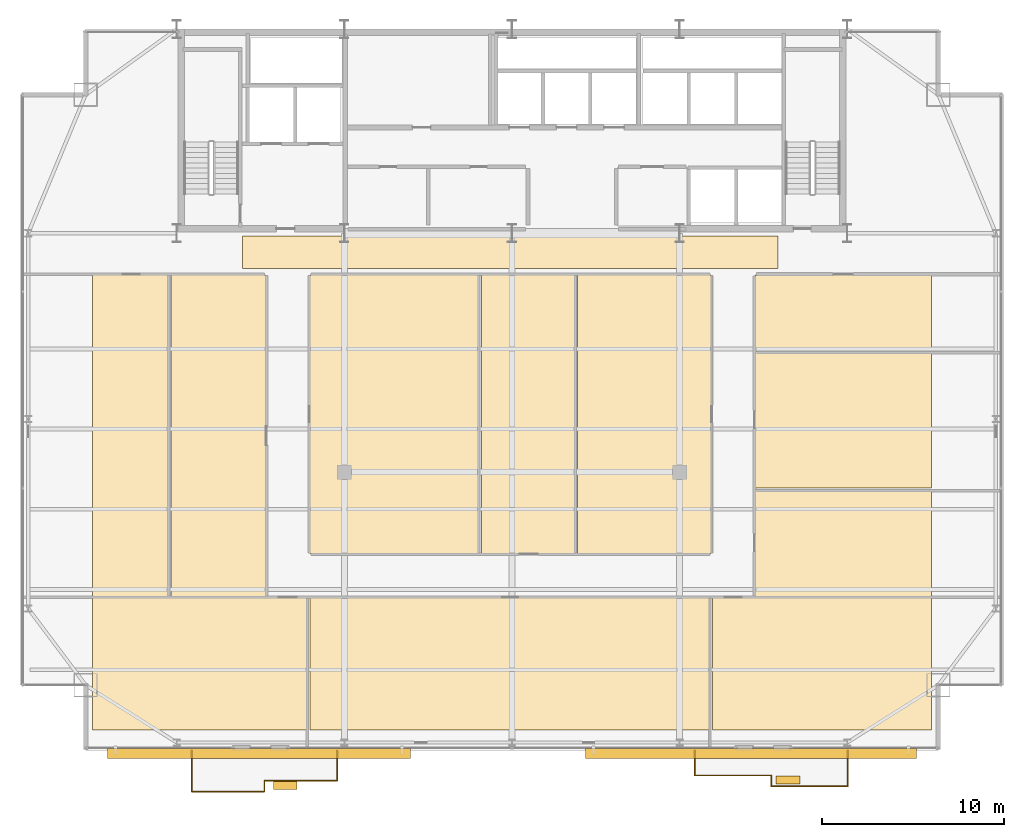
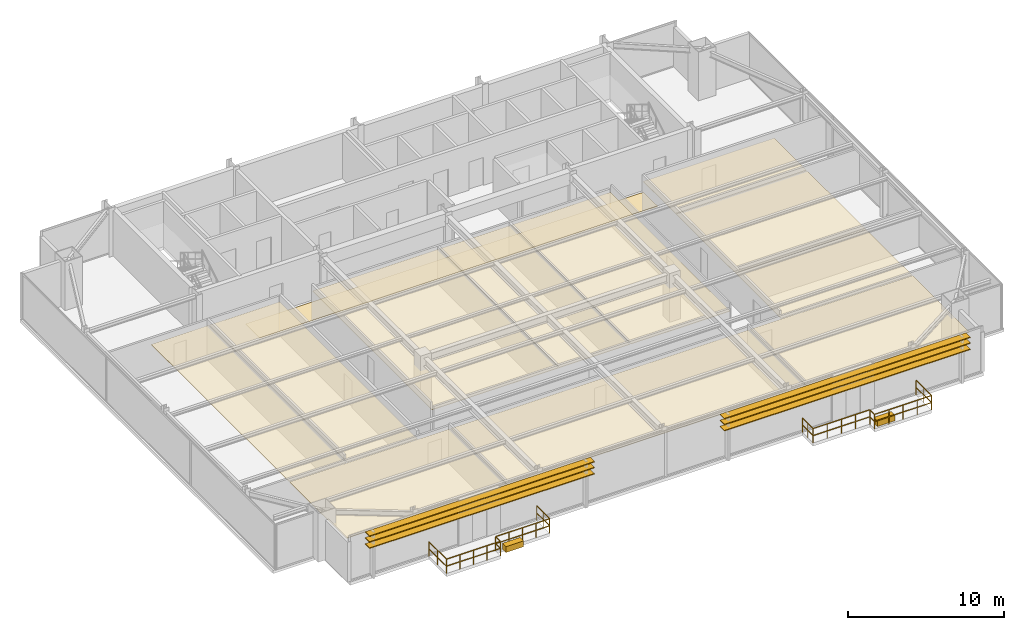
# One storey, part 30 of 31: 14 coverings, 10 railings, 6 shading devices.
"""IFC4 building model written with IfcOpenShell, lengths in metres."""

import ifcopenshell
import ifcopenshell.guid

model = None  # the IFC model being written
_history = None  # IfcOwnerHistory: only IFC2X3 demands one
_inside = {}  # id of a spatial element -> (the spatial element, [elements in it])
_under = {}  # id of a project, library or spatial element -> (it, [spatial elements below it])
_declared = {}  # id of a project -> (the project, [libraries it declares])
_typed = {}  # id of a type object -> (the type object, [elements of that type])
_made_of = {}  # id of a material, layer set ... -> (it, [elements and type objects made of it])


def new_model(schema):
    """Start an empty IFC model of exactly this schema.

    Asked for "IFC4X3", IfcOpenShell would pick the latest addendum, in which some entities
    have other attributes; the version numbers below select the first issue.
    IFC2X3 requires an IfcOwnerHistory on every rooted entity: one is made here for all.
    """
    global model, _history
    if schema == "IFC4X3":
        model = ifcopenshell.file(schema_version=(4, 3, 0, 0))
    else:
        model = ifcopenshell.file(schema=schema)
    _inside.clear()
    _under.clear()
    _declared.clear()
    _typed.clear()
    _made_of.clear()
    _history = None
    if model.schema == "IFC2X3":
        org = make("IfcOrganization", Name="unknown")
        user = make(
            "IfcPersonAndOrganization",
            ThePerson=make("IfcPerson", FamilyName="unknown"),
            TheOrganization=org,
        )
        app = make(
            "IfcApplication",
            ApplicationDeveloper=org,
            Version="unknown",
            ApplicationFullName="unknown",
            ApplicationIdentifier="unknown",
        )
        _history = make(
            "IfcOwnerHistory",
            OwningUser=user,
            OwningApplication=app,
            ChangeAction="ADDED",
            CreationDate=0,
        )
    return model


def make(cls, **values):
    """One entity of the class cls with the attributes given. An attribute that is None is left unset."""
    return model.create_entity(
        cls, **{name: value for name, value in values.items() if value is not None}
    )


def rooted(cls, **values):
    """An entity with a GlobalId (a new one), such as an element, a storey or a relation."""
    return make(cls, GlobalId=ifcopenshell.guid.new(), OwnerHistory=_history, **values)


def si_unit(unit_type, name, prefix=None):
    """IfcSIUnit, for example si_unit("LENGTHUNIT", "METRE", prefix="MILLI")."""
    return make("IfcSIUnit", UnitType=unit_type, Prefix=prefix, Name=name)


def assignment(units):
    """IfcUnitAssignment: the units of a project."""
    return None if units is None else make("IfcUnitAssignment", Units=units)


def point(xyz):
    """IfcCartesianPoint."""
    return None if xyz is None else make("IfcCartesianPoint", Coordinates=xyz)


def direction(xyz):
    """IfcDirection."""
    return None if xyz is None else make("IfcDirection", DirectionRatios=xyz)


def frame(location, z_axis=None, x_axis=None):
    """IfcAxis2Placement3D, a coordinate frame: its origin and axes. An axis left out is left unset."""
    return make(
        "IfcAxis2Placement3D",
        Location=point(location),
        Axis=direction(z_axis),
        RefDirection=direction(x_axis),
    )


def frame_2d(location, x_axis=None):
    """IfcAxis2Placement2D, a coordinate frame in the plane: its origin and x axis."""
    return make(
        "IfcAxis2Placement2D", Location=point(location), RefDirection=direction(x_axis)
    )


def origin():
    """The frame at (0, 0, 0) with its axes left unset."""
    return frame((0.0, 0.0, 0.0))


def origin_2d():
    """The frame at (0, 0) in the plane with its x axis left unset."""
    return frame_2d((0.0, 0.0))


def place(relative_to, where):
    """IfcLocalPlacement: puts the frame where relative to a parent placement (None: the world)."""
    return make(
        "IfcLocalPlacement", PlacementRelTo=relative_to, RelativePlacement=where
    )


def context(
    kind, dimensions, precision=None, world=None, true_north=None, identifier=None
):
    """IfcGeometricRepresentationContext, for example the 3D "Model" context."""
    return make(
        "IfcGeometricRepresentationContext",
        ContextIdentifier=identifier,
        ContextType=kind,
        CoordinateSpaceDimension=dimensions,
        Precision=precision,
        WorldCoordinateSystem=world,
        TrueNorth=true_north,
    )


def subcontext(parent, identifier, kind, view, scale=None):
    """IfcGeometricRepresentationSubContext, for example "Body" below "Model"."""
    return make(
        "IfcGeometricRepresentationSubContext",
        ContextIdentifier=identifier,
        ContextType=kind,
        ParentContext=parent,
        TargetScale=scale,
        TargetView=view,
    )


def project(units=None, contexts=None):
    """IfcProject with its units and contexts."""
    return rooted(
        "IfcProject",
        Name="project",
        RepresentationContexts=contexts,
        UnitsInContext=assignment(units),
    )


def spatial(cls, under=None, at=None, **own):
    """A site, building, storey or space (cls), placed at a placement, below another one or the project."""
    s = rooted(cls, ObjectPlacement=at, **own)
    if under is not None:
        _under.setdefault(under.id(), (under, []))[1].append(s)
    return s


def polyline(points):
    """IfcPolyline through the points."""
    return make("IfcPolyline", Points=[point(p) for p in points])


def profile(cls, at=None, kind="AREA", **sizes):
    """A parametric profile (cls). Its sizes go by their IFC names, for example OverallWidth=200.0."""
    return make(cls, ProfileType=kind, Position=at, **sizes)


def rectangle(**sizes):
    """IfcRectangleProfileDef."""
    return profile("IfcRectangleProfileDef", **sizes)


def outline(outer, holes=None, kind="AREA"):
    """IfcArbitraryClosedProfileDef: a profile drawn as a closed curve; with holes, ...WithVoids."""
    if holes is None:
        return make("IfcArbitraryClosedProfileDef", ProfileType=kind, OuterCurve=outer)
    return make(
        "IfcArbitraryProfileDefWithVoids",
        ProfileType=kind,
        OuterCurve=outer,
        InnerCurves=holes,
    )


def extrude(swept, where, along, depth):
    """IfcExtrudedAreaSolid: the profile swept, set in the frame where, extruded along a direction by depth."""
    return make(
        "IfcExtrudedAreaSolid",
        SweptArea=swept,
        Position=where,
        ExtrudedDirection=direction(along),
        Depth=depth,
    )


def shape(context_of_items, identifier, shape_type, items):
    """IfcShapeRepresentation: the items that make up one representation, for example the "Body"."""
    return make(
        "IfcShapeRepresentation",
        ContextOfItems=context_of_items,
        RepresentationIdentifier=identifier,
        RepresentationType=shape_type,
        Items=items,
    )


def source(mapping_origin, context_of_items, identifier, shape_type, items):
    """IfcRepresentationMap: a shape defined once, which mapped items show again and again."""
    return make(
        "IfcRepresentationMap",
        MappingOrigin=mapping_origin,
        MappedRepresentation=shape(context_of_items, identifier, shape_type, items),
    )


def transform(
    local_origin,
    x_axis=None,
    y_axis=None,
    z_axis=None,
    scale=None,
    scale2=None,
    scale3=None,
    uniform=True,
):
    """IfcCartesianTransformationOperator3D, or its non-uniform kind. x_axis, y_axis, z_axis: its Axis1, 2, 3."""
    if uniform:
        return make(
            "IfcCartesianTransformationOperator3D",
            Axis1=direction(x_axis),
            Axis2=direction(y_axis),
            LocalOrigin=point(local_origin),
            Scale=scale,
            Axis3=direction(z_axis),
        )
    return make(
        "IfcCartesianTransformationOperator3DnonUniform",
        Axis1=direction(x_axis),
        Axis2=direction(y_axis),
        LocalOrigin=point(local_origin),
        Scale=scale,
        Axis3=direction(z_axis),
        Scale2=scale2,
        Scale3=scale3,
    )


def mapped(mapping_source, mapping_target):
    """IfcMappedItem: shows the shape of a source again, moved by a transform."""
    return make(
        "IfcMappedItem", MappingSource=mapping_source, MappingTarget=mapping_target
    )


def material(Name=None, Category=None):
    """IfcMaterial."""
    return make("IfcMaterial", Name=Name, Category=Category)


def layer(
    of_material, thickness, ventilated=None, Name=None, Category=None, Priority=None
):
    """IfcMaterialLayer: one layer of a wall or slab, of a material (None: an air gap)."""
    return make(
        "IfcMaterialLayer",
        Material=of_material,
        LayerThickness=thickness,
        IsVentilated=ventilated,
        Name=Name,
        Category=Category,
        Priority=Priority,
    )


def layer_set(layers, Name=None):
    """IfcMaterialLayerSet."""
    return make("IfcMaterialLayerSet", MaterialLayers=layers, LayerSetName=Name)


def made_of(thing, what):
    """Note that an element or type object is made of a material, layer set ...; save() writes the relation."""
    if what is not None:
        _made_of.setdefault(what.id(), (what, []))[1].append(thing)
    return thing


def type_object(cls, material=None, **own):
    """A type object (cls), such as IfcWallType, which elements share."""
    return made_of(rooted(cls, **own), material)


def type_shapes(of_type, sources):
    """Give a type object the sources (RepresentationMaps) that its elements show as mapped items."""
    of_type.RepresentationMaps = sources


def element(
    cls,
    number,
    at=None,
    inside=None,
    cuts=None,
    type_object=None,
    material=None,
    context=None,
    identifier="Body",
    shape_type=None,
    held_by="IfcProductDefinitionShape",
    body=None,
    shapes=None,
    **own,
):
    """One element of the class cls, such as IfcWall. Its Tag is "e" and its number.

    at: its placement. inside: the storey or other place that contains it. cuts: it is an
    opening in that element (IfcRelVoidsElement). A single representation is given by context,
    identifier, shape_type and body (its items); several are given by shapes. held_by: the class
    of the entity that holds the representations. save() writes the other relations.
    """
    e = rooted(cls, Tag="e%d" % number, ObjectPlacement=at, **own)
    if body is not None:
        shapes = [shape(context, identifier, shape_type, body)]
    if shapes is not None:
        e.Representation = make(held_by, Representations=shapes)
    if inside is not None:
        _inside.setdefault(inside.id(), (inside, []))[1].append(e)
    if cuts is not None:
        rooted(
            "IfcRelVoidsElement", RelatingBuildingElement=cuts, RelatedOpeningElement=e
        )
    if type_object is not None:
        _typed.setdefault(type_object.id(), (type_object, []))[1].append(e)
    return made_of(e, material)


def aggregate(whole, parts):
    """IfcRelAggregates: a whole, such as a stair, and the parts it consists of."""
    return rooted("IfcRelAggregates", RelatingObject=whole, RelatedObjects=parts)


def save(model, path):
    """Write the relations noted so far, then the file.

    IfcRelAggregates (storeys below a building ...), IfcRelContainedInSpatialStructure (elements
    in a storey), IfcRelDefinesByType, IfcRelAssociatesMaterial and IfcRelDeclares: one each for
    every whole, place, type object, material and project.
    """
    for whole, parts in _under.values():
        aggregate(whole, parts)
    for where, things in _inside.values():
        rooted(
            "IfcRelContainedInSpatialStructure",
            RelatedElements=things,
            RelatingStructure=where,
        )
    for kind, things in _typed.values():
        rooted("IfcRelDefinesByType", RelatedObjects=things, RelatingType=kind)
    for what, things in _made_of.values():
        rooted("IfcRelAssociatesMaterial", RelatedObjects=things, RelatingMaterial=what)
    for by, libraries in _declared.values():
        rooted("IfcRelDeclares", RelatingContext=by, RelatedDefinitions=libraries)
    model.write(path)


model = new_model("IFC4")

# Units and contexts
model_context = context("Model", 3, precision=1e-05, world=origin(), true_north=direction((0.0, 1.0)))
body_context = subcontext(model_context, "Body", "Model", "MODEL_VIEW")
ifc_project = project(units=[si_unit("LENGTHUNIT", "METRE"), si_unit("AREAUNIT", "SQUARE_METRE"), si_unit("VOLUMEUNIT", "CUBIC_METRE"), si_unit("PLANEANGLEUNIT", "RADIAN"), si_unit("MASSUNIT", "GRAM", prefix="KILO")], contexts=[model_context])

# Site, building, storey
site_placement = place(None, origin())
site = spatial("IfcSite", under=ifc_project, at=site_placement, CompositionType="ELEMENT")
building_placement = place(site_placement, origin())
building = spatial("IfcBuilding", under=site, at=building_placement, Name="Varnel Quay Broadcast Tower", CompositionType="ELEMENT")
storey_placement = place(building_placement, frame((0.0, 0.0, 183.800048828125)))
storey = spatial("IfcBuildingStorey", under=building, at=storey_placement, Name="L45", CompositionType="ELEMENT", Elevation=183.800048828125)

# Coverings
ifc_material_1 = material(Name="Micro-Perforated Acoustic Ceiling Tile")
ifc_layer_1 = layer(ifc_material_1, 0.0400390625, Name="Micro-Perforated Acoustic Ceiling Tile")
ifc_layer_set_1 = layer_set([ifc_layer_1], Name="Micro-Perforated Acoustic Ceiling Tile")
covering_type_1 = type_object("IfcCoveringType", Name="Cov_AcousticCeiling", PredefinedType="CEILING", material=ifc_layer_set_1)
covering_1_placement = place(storey_placement, frame((0.0, 0.0, 2.579833984375)))
element("IfcCovering", 1, at=covering_1_placement, inside=storey, type_object=covering_type_1, Name="L45 Press Green Lounge 1 Acoustic Ceiling", PredefinedType="CEILING", context=body_context, shape_type="SweptSolid", body=[
    extrude(outline(polyline([(10.985107421875, 8.324951171875), (22.8349609375, 8.324951171875), (22.8349609375, 15.594970703125), (10.985107421875, 15.594970703125), (10.985107421875, 8.324951171875)])), origin(), (0.0, 0.0, 1.0), 0.0400390625),
])
covering_2_placement = place(storey_placement, frame((0.0, 0.0, 2.579833984375)))
element("IfcCovering", 2, at=covering_2_placement, inside=storey, type_object=covering_type_1, Name="L45 Camera Locker Store 2 Acoustic Ceiling", PredefinedType="CEILING", context=body_context, shape_type="SweptSolid", body=[
    extrude(outline(polyline([(22.905029296875, 8.324951171875), (44.925048828125, 8.324951171875), (44.925048828125, 15.594970703125), (22.905029296875, 15.594970703125), (22.905029296875, 8.324951171875)])), origin(), (0.0, 0.0, 1.0), 0.0400390625),
])
covering_3_placement = place(storey_placement, frame((0.0, 0.0, 2.579833984375)))
element("IfcCovering", 3, at=covering_3_placement, inside=storey, type_object=covering_type_1, Name="L45 Broadcast Newsroom 3 Acoustic Ceiling", PredefinedType="CEILING", context=body_context, shape_type="SweptSolid", body=[
    extrude(outline(polyline([(44.9951171875, 8.324951171875), (57.014892578125, 8.324951171875), (57.014892578125, 15.594970703125), (44.9951171875, 15.594970703125), (44.9951171875, 8.324951171875)])), origin(), (0.0, 0.0, 1.0), 0.0400390625),
])
covering_4_placement = place(storey_placement, frame((0.0, 0.0, 2.579833984375)))
element("IfcCovering", 4, at=covering_4_placement, inside=storey, type_object=covering_type_1, Name="L45 Assignment Desk 4 Acoustic Ceiling", PredefinedType="CEILING", context=body_context, shape_type="SweptSolid", body=[
    extrude(outline(polyline([(10.985107421875, 15.6650390625), (15.215087890625, 15.6650390625), (15.215087890625, 33.31494140625), (10.985107421875, 33.31494140625), (10.985107421875, 15.6650390625)])), origin(), (0.0, 0.0, 1.0), 0.0400390625),
])
covering_5_placement = place(storey_placement, frame((0.0, 0.0, 2.579833984375)))
element("IfcCovering", 5, at=covering_5_placement, inside=storey, type_object=covering_type_1, Name="L45 Editorial Boardroom 5 Acoustic Ceiling", PredefinedType="CEILING", context=body_context, shape_type="SweptSolid", body=[
    extrude(outline(polyline([(15.284912109375, 15.6650390625), (20.485107421875, 15.6650390625), (20.485107421875, 33.31494140625), (15.284912109375, 33.31494140625), (15.284912109375, 15.6650390625)])), origin(), (0.0, 0.0, 1.0), 0.0400390625),
])
covering_6_placement = place(storey_placement, frame((0.0, 0.0, 2.579833984375)))
element("IfcCovering", 6, at=covering_6_placement, inside=storey, type_object=covering_type_1, Name="L45 Break Kitchen 6 Acoustic Ceiling", PredefinedType="CEILING", context=body_context, shape_type="SweptSolid", body=[
    extrude(outline(polyline([(22.905029296875, 18.014892578125), (32.2451171875, 18.014892578125), (32.2451171875, 33.31494140625), (22.905029296875, 33.31494140625), (22.905029296875, 18.014892578125)])), origin(), (0.0, 0.0, 1.0), 0.0400390625),
])
covering_7_placement = place(storey_placement, frame((0.0, 0.0, 2.579833984375)))
element("IfcCovering", 7, at=covering_7_placement, inside=storey, type_object=covering_type_1, Name="L45 Press Green Lounge 7 Acoustic Ceiling", PredefinedType="CEILING", context=body_context, shape_type="SweptSolid", body=[
    extrude(outline(polyline([(32.31494140625, 18.014892578125), (37.534912109375, 18.014892578125), (37.534912109375, 33.31494140625), (32.31494140625, 33.31494140625), (32.31494140625, 18.014892578125)])), origin(), (0.0, 0.0, 1.0), 0.0400390625),
])
covering_8_placement = place(storey_placement, frame((0.0, 0.0, 2.579833984375)))
element("IfcCovering", 8, at=covering_8_placement, inside=storey, type_object=covering_type_1, Name="L45 Camera Locker Store 8 Acoustic Ceiling", PredefinedType="CEILING", context=body_context, shape_type="SweptSolid", body=[
    extrude(outline(polyline([(37.60498046875, 18.014892578125), (44.925048828125, 18.014892578125), (44.925048828125, 33.31494140625), (37.60498046875, 33.31494140625), (37.60498046875, 18.014892578125)])), origin(), (0.0, 0.0, 1.0), 0.0400390625),
])
covering_9_placement = place(storey_placement, frame((0.0, 0.0, 2.579833984375)))
element("IfcCovering", 9, at=covering_9_placement, inside=storey, type_object=covering_type_1, Name="L45 Broadcast Newsroom 9 Acoustic Ceiling", PredefinedType="CEILING", context=body_context, shape_type="SweptSolid", body=[
    extrude(outline(polyline([(47.344970703125, 15.6650390625), (57.014892578125, 15.6650390625), (57.014892578125, 21.534912109375), (47.344970703125, 21.534912109375), (47.344970703125, 15.6650390625)])), origin(), (0.0, 0.0, 1.0), 0.0400390625),
])
covering_10_placement = place(storey_placement, frame((0.0, 0.0, 2.579833984375)))
element("IfcCovering", 10, at=covering_10_placement, inside=storey, type_object=covering_type_1, Name="L45 Assignment Desk 10 Acoustic Ceiling", PredefinedType="CEILING", context=body_context, shape_type="SweptSolid", body=[
    extrude(outline(polyline([(47.344970703125, 21.60498046875), (57.014892578125, 21.60498046875), (57.014892578125, 29.10498046875), (47.344970703125, 29.10498046875), (47.344970703125, 21.60498046875)])), origin(), (0.0, 0.0, 1.0), 0.0400390625),
])
covering_11_placement = place(storey_placement, frame((0.0, 0.0, 2.579833984375)))
element("IfcCovering", 11, at=covering_11_placement, inside=storey, type_object=covering_type_1, Name="L45 Editorial Boardroom 11 Acoustic Ceiling", PredefinedType="CEILING", context=body_context, shape_type="SweptSolid", body=[
    extrude(outline(polyline([(47.344970703125, 29.175048828125), (57.014892578125, 29.175048828125), (57.014892578125, 33.31494140625), (47.344970703125, 33.31494140625), (47.344970703125, 29.175048828125)])), origin(), (0.0, 0.0, 1.0), 0.0400390625),
])
ifc_material_2 = material(Name="Polished Terrazzo & Broadcast Raised Flooring")
ifc_layer_2 = layer(ifc_material_2, 0.0400390625, Name="Polished Terrazzo & Broadcast Raised Flooring")
ifc_layer_set_2 = layer_set([ifc_layer_2], Name="Polished Terrazzo & Broadcast Raised Flooring")
covering_type_2 = type_object("IfcCoveringType", Name="Cov_TerrazzoFloor", PredefinedType="FLOORING", material=ifc_layer_set_2)
covering_12_placement = place(storey_placement, origin())
element("IfcCovering", 12, at=covering_12_placement, inside=storey, type_object=covering_type_2, Name="L45 Corridor Terrazzo Flooring", PredefinedType="FLOORING", context=body_context, shape_type="SweptSolid", body=[
    extrude(outline(polyline([(19.199951171875, 33.64990234375), (48.60009765625, 33.64990234375), (48.60009765625, 35.449951171875), (19.199951171875, 35.449951171875), (19.199951171875, 33.64990234375)])), origin(), (0.0, 0.0, 1.0), 0.0400390625),
])

# Railings
ifc_material_3 = material(Name="Anodised Bronze Aluminium 6063-T6", Category="aluminium")
railing_type = type_object("IfcRailingType", Name="Rail_Balustrade1150", PredefinedType="BALUSTRADE", material=ifc_material_3)
railing_1_placement = place(storey_placement, frame((16.429931640625, 4.95703125, 0.0)))
element("IfcRailing", 13, at=railing_1_placement, inside=storey, type_object=railing_type, Name="L45 Terrace 1 Guard 1", PredefinedType="BALUSTRADE", context=body_context, shape_type="SweptSolid", body=[
    extrude(rectangle(XDim=0.048095703125, YDim=0.048095703125, at=origin_2d()), frame((0.0, 0.0, 1.1259765625), z_axis=(1.0, 0.0, 0.0), x_axis=(0.0, 1.0, 0.0)), (0.0, 0.0, 1.0), 3.985107421875),
    extrude(rectangle(XDim=0.048095703125, YDim=0.048095703125, at=origin_2d()), frame((0.0, 0.0, 0.574951171875), z_axis=(1.0, 0.0, 0.0), x_axis=(0.0, 1.0, 0.0)), (0.0, 0.0, 1.0), 3.985107421875),
    extrude(rectangle(XDim=0.0419921875, YDim=0.0419921875, at=origin_2d()), origin(), (0.0, 0.0, 1.0), 1.101806640625),
    extrude(rectangle(XDim=0.0419921875, YDim=0.0419921875, at=origin_2d()), frame((0.996337890625, 0.0, 0.0)), (0.0, 0.0, 1.0), 1.101806640625),
    extrude(rectangle(XDim=0.0419921875, YDim=0.0419921875, at=origin_2d()), frame((1.99267578125, 0.0, 0.0)), (0.0, 0.0, 1.0), 1.101806640625),
    extrude(rectangle(XDim=0.0419921875, YDim=0.0419921875, at=origin_2d()), frame((2.98876953125, 0.0, 0.0)), (0.0, 0.0, 1.0), 1.101806640625),
    extrude(rectangle(XDim=0.0419921875, YDim=0.0419921875, at=origin_2d()), frame((3.985107421875, 0.0, 0.0)), (0.0, 0.0, 1.0), 1.101806640625),
])
railing_2_placement = place(storey_placement, frame((20.4150390625, 4.95703125, 0.0)))
element("IfcRailing", 14, at=railing_2_placement, inside=storey, type_object=railing_type, Name="L45 Terrace 1 Guard 2", PredefinedType="BALUSTRADE", context=body_context, shape_type="SweptSolid", body=[
    extrude(rectangle(XDim=0.048095703125, YDim=0.048095703125, at=origin_2d()), frame((0.0, 0.0, 1.1259765625), z_axis=(0.0, 1.0, 0.0), x_axis=(-1.0, 0.0, 0.0)), (0.0, 0.0, 1.0), 0.599853515625),
    extrude(rectangle(XDim=0.048095703125, YDim=0.048095703125, at=origin_2d()), frame((0.0, 0.0, 0.574951171875), z_axis=(0.0, 1.0, 0.0), x_axis=(-1.0, 0.0, 0.0)), (0.0, 0.0, 1.0), 0.599853515625),
    extrude(rectangle(XDim=0.0419921875, YDim=0.0419921875, at=origin_2d()), origin(), (0.0, 0.0, 1.0), 1.101806640625),
    extrude(rectangle(XDim=0.0419921875, YDim=0.0419921875, at=origin_2d()), frame((0.0, 0.599853515625, 0.0)), (0.0, 0.0, 1.0), 1.101806640625),
])
railing_3_placement = place(storey_placement, frame((20.4150390625, 5.556884765625, 0.0)))
element("IfcRailing", 15, at=railing_3_placement, inside=storey, type_object=railing_type, Name="L45 Terrace 1 Guard 3", PredefinedType="BALUSTRADE", context=body_context, shape_type="SweptSolid", body=[
    extrude(rectangle(XDim=0.048095703125, YDim=0.048095703125, at=origin_2d()), frame((0.0, 0.0, 1.1259765625), z_axis=(1.0, 0.0, 0.0), x_axis=(0.0, 1.0, 0.0)), (0.0, 0.0, 1.0), 3.98486328125),
    extrude(rectangle(XDim=0.048095703125, YDim=0.048095703125, at=origin_2d()), frame((0.0, 0.0, 0.574951171875), z_axis=(1.0, 0.0, 0.0), x_axis=(0.0, 1.0, 0.0)), (0.0, 0.0, 1.0), 3.98486328125),
    extrude(rectangle(XDim=0.0419921875, YDim=0.0419921875, at=origin_2d()), origin(), (0.0, 0.0, 1.0), 1.101806640625),
    extrude(rectangle(XDim=0.0419921875, YDim=0.0419921875, at=origin_2d()), frame((0.99609375, 0.0, 0.0)), (0.0, 0.0, 1.0), 1.101806640625),
    extrude(rectangle(XDim=0.0419921875, YDim=0.0419921875, at=origin_2d()), frame((1.992431640625, 0.0, 0.0)), (0.0, 0.0, 1.0), 1.101806640625),
    extrude(rectangle(XDim=0.0419921875, YDim=0.0419921875, at=origin_2d()), frame((2.98876953125, 0.0, 0.0)), (0.0, 0.0, 1.0), 1.101806640625),
    extrude(rectangle(XDim=0.0419921875, YDim=0.0419921875, at=origin_2d()), frame((3.98486328125, 0.0, 0.0)), (0.0, 0.0, 1.0), 1.101806640625),
])
railing_4_placement = place(storey_placement, frame((24.39990234375, 5.556884765625, 0.0)))
element("IfcRailing", 16, at=railing_4_placement, inside=storey, type_object=railing_type, Name="L45 Terrace 1 Guard 4", PredefinedType="BALUSTRADE", context=body_context, shape_type="SweptSolid", body=[
    extrude(rectangle(XDim=0.048095703125, YDim=0.048095703125, at=origin_2d()), frame((0.0, 0.0, 1.1259765625), z_axis=(0.0, 1.0, 0.0), x_axis=(-1.0, 0.0, 0.0)), (0.0, 0.0, 1.0), 1.64306640625),
    extrude(rectangle(XDim=0.048095703125, YDim=0.048095703125, at=origin_2d()), frame((0.0, 0.0, 0.574951171875), z_axis=(0.0, 1.0, 0.0), x_axis=(-1.0, 0.0, 0.0)), (0.0, 0.0, 1.0), 1.64306640625),
    extrude(rectangle(XDim=0.0419921875, YDim=0.0419921875, at=origin_2d()), origin(), (0.0, 0.0, 1.0), 1.101806640625),
    extrude(rectangle(XDim=0.0419921875, YDim=0.0419921875, at=origin_2d()), frame((0.0, 0.821533203125, 0.0)), (0.0, 0.0, 1.0), 1.101806640625),
    extrude(rectangle(XDim=0.0419921875, YDim=0.0419921875, at=origin_2d()), frame((0.0, 1.64306640625, 0.0)), (0.0, 0.0, 1.0), 1.101806640625),
])
railing_5_placement = place(storey_placement, frame((16.429931640625, 7.199951171875, 0.0)))
element("IfcRailing", 17, at=railing_5_placement, inside=storey, type_object=railing_type, Name="L45 Terrace 1 Guard 6", PredefinedType="BALUSTRADE", context=body_context, shape_type="SweptSolid", body=[
    extrude(rectangle(XDim=0.048095703125, YDim=0.048095703125, at=origin_2d()), frame((0.0, 0.0, 1.1259765625), z_axis=(0.0, -1.0, 0.0), x_axis=(1.0, 0.0, 0.0)), (0.0, 0.0, 1.0), 2.242919921875),
    extrude(rectangle(XDim=0.048095703125, YDim=0.048095703125, at=origin_2d()), frame((0.0, 0.0, 0.574951171875), z_axis=(0.0, -1.0, 0.0), x_axis=(1.0, 0.0, 0.0)), (0.0, 0.0, 1.0), 2.242919921875),
    extrude(rectangle(XDim=0.0419921875, YDim=0.0419921875, at=origin_2d()), origin(), (0.0, 0.0, 1.0), 1.101806640625),
    extrude(rectangle(XDim=0.0419921875, YDim=0.0419921875, at=origin_2d()), frame((0.0, -1.12158203125, 0.0)), (0.0, 0.0, 1.0), 1.101806640625),
    extrude(rectangle(XDim=0.0419921875, YDim=0.0419921875, at=origin_2d()), frame((0.0, -2.242919921875, 0.0)), (0.0, 0.0, 1.0), 1.101806640625),
])
railing_6_placement = place(storey_placement, frame((44.030029296875, 5.843017578125, 0.0)))
element("IfcRailing", 18, at=railing_6_placement, inside=storey, type_object=railing_type, Name="L45 Terrace 2 Guard 1", PredefinedType="BALUSTRADE", context=body_context, shape_type="SweptSolid", body=[
    extrude(rectangle(XDim=0.048095703125, YDim=0.048095703125, at=origin_2d()), frame((0.0, 0.0, 1.1259765625), z_axis=(1.0, 0.0, 0.0), x_axis=(0.0, 1.0, 0.0)), (0.0, 0.0, 1.0), 4.199951171875),
    extrude(rectangle(XDim=0.048095703125, YDim=0.048095703125, at=origin_2d()), frame((0.0, 0.0, 0.574951171875), z_axis=(1.0, 0.0, 0.0), x_axis=(0.0, 1.0, 0.0)), (0.0, 0.0, 1.0), 4.199951171875),
    extrude(rectangle(XDim=0.0419921875, YDim=0.0419921875, at=origin_2d()), origin(), (0.0, 0.0, 1.0), 1.101806640625),
    extrude(rectangle(XDim=0.0419921875, YDim=0.0419921875, at=origin_2d()), frame((1.050048828125, 0.0, 0.0)), (0.0, 0.0, 1.0), 1.101806640625),
    extrude(rectangle(XDim=0.0419921875, YDim=0.0419921875, at=origin_2d()), frame((2.10009765625, 0.0, 0.0)), (0.0, 0.0, 1.0), 1.101806640625),
    extrude(rectangle(XDim=0.0419921875, YDim=0.0419921875, at=origin_2d()), frame((3.14990234375, 0.0, 0.0)), (0.0, 0.0, 1.0), 1.101806640625),
    extrude(rectangle(XDim=0.0419921875, YDim=0.0419921875, at=origin_2d()), frame((4.199951171875, 0.0, 0.0)), (0.0, 0.0, 1.0), 1.101806640625),
])
railing_7_placement = place(storey_placement, frame((48.22998046875, 5.843017578125, 0.0)))
element("IfcRailing", 19, at=railing_7_placement, inside=storey, type_object=railing_type, Name="L45 Terrace 2 Guard 2", PredefinedType="BALUSTRADE", context=body_context, shape_type="SweptSolid", body=[
    extrude(rectangle(XDim=0.048095703125, YDim=0.048095703125, at=origin_2d()), frame((0.0, 0.0, 1.1259765625), z_axis=(0.0, -1.0, 0.0), x_axis=(1.0, 0.0, 0.0)), (0.0, 0.0, 1.0), 0.60009765625),
    extrude(rectangle(XDim=0.048095703125, YDim=0.048095703125, at=origin_2d()), frame((0.0, 0.0, 0.574951171875), z_axis=(0.0, -1.0, 0.0), x_axis=(1.0, 0.0, 0.0)), (0.0, 0.0, 1.0), 0.60009765625),
    extrude(rectangle(XDim=0.0419921875, YDim=0.0419921875, at=origin_2d()), origin(), (0.0, 0.0, 1.0), 1.101806640625),
    extrude(rectangle(XDim=0.0419921875, YDim=0.0419921875, at=origin_2d()), frame((0.0, -0.60009765625, 0.0)), (0.0, 0.0, 1.0), 1.101806640625),
])
railing_8_placement = place(storey_placement, frame((48.22998046875, 5.242919921875, 0.0)))
element("IfcRailing", 20, at=railing_8_placement, inside=storey, type_object=railing_type, Name="L45 Terrace 2 Guard 3", PredefinedType="BALUSTRADE", context=body_context, shape_type="SweptSolid", body=[
    extrude(rectangle(XDim=0.048095703125, YDim=0.048095703125, at=origin_2d()), frame((0.0, 0.0, 1.1259765625), z_axis=(1.0, 0.0, 0.0), x_axis=(0.0, 1.0, 0.0)), (0.0, 0.0, 1.0), 4.199951171875),
    extrude(rectangle(XDim=0.048095703125, YDim=0.048095703125, at=origin_2d()), frame((0.0, 0.0, 0.574951171875), z_axis=(1.0, 0.0, 0.0), x_axis=(0.0, 1.0, 0.0)), (0.0, 0.0, 1.0), 4.199951171875),
    extrude(rectangle(XDim=0.0419921875, YDim=0.0419921875, at=origin_2d()), origin(), (0.0, 0.0, 1.0), 1.101806640625),
    extrude(rectangle(XDim=0.0419921875, YDim=0.0419921875, at=origin_2d()), frame((1.050048828125, 0.0, 0.0)), (0.0, 0.0, 1.0), 1.101806640625),
    extrude(rectangle(XDim=0.0419921875, YDim=0.0419921875, at=origin_2d()), frame((2.10009765625, 0.0, 0.0)), (0.0, 0.0, 1.0), 1.101806640625),
    extrude(rectangle(XDim=0.0419921875, YDim=0.0419921875, at=origin_2d()), frame((3.14990234375, 0.0, 0.0)), (0.0, 0.0, 1.0), 1.101806640625),
    extrude(rectangle(XDim=0.0419921875, YDim=0.0419921875, at=origin_2d()), frame((4.199951171875, 0.0, 0.0)), (0.0, 0.0, 1.0), 1.101806640625),
])
railing_9_placement = place(storey_placement, frame((52.429931640625, 5.242919921875, 0.0)))
element("IfcRailing", 21, at=railing_9_placement, inside=storey, type_object=railing_type, Name="L45 Terrace 2 Guard 4", PredefinedType="BALUSTRADE", context=body_context, shape_type="SweptSolid", body=[
    extrude(rectangle(XDim=0.048095703125, YDim=0.048095703125, at=origin_2d()), frame((0.0, 0.0, 1.1259765625), z_axis=(0.0, 1.0, 0.0), x_axis=(-1.0, 0.0, 0.0)), (0.0, 0.0, 1.0), 1.95703125),
    extrude(rectangle(XDim=0.048095703125, YDim=0.048095703125, at=origin_2d()), frame((0.0, 0.0, 0.574951171875), z_axis=(0.0, 1.0, 0.0), x_axis=(-1.0, 0.0, 0.0)), (0.0, 0.0, 1.0), 1.95703125),
    extrude(rectangle(XDim=0.0419921875, YDim=0.0419921875, at=origin_2d()), origin(), (0.0, 0.0, 1.0), 1.101806640625),
    extrude(rectangle(XDim=0.0419921875, YDim=0.0419921875, at=origin_2d()), frame((0.0, 0.978515625, 0.0)), (0.0, 0.0, 1.0), 1.101806640625),
    extrude(rectangle(XDim=0.0419921875, YDim=0.0419921875, at=origin_2d()), frame((0.0, 1.95703125, 0.0)), (0.0, 0.0, 1.0), 1.101806640625),
])
railing_10_placement = place(storey_placement, frame((44.030029296875, 7.199951171875, 0.0)))
element("IfcRailing", 22, at=railing_10_placement, inside=storey, type_object=railing_type, Name="L45 Terrace 2 Guard 6", PredefinedType="BALUSTRADE", context=body_context, shape_type="SweptSolid", body=[
    extrude(rectangle(XDim=0.048095703125, YDim=0.048095703125, at=origin_2d()), frame((0.0, 0.0, 1.1259765625), z_axis=(0.0, -1.0, 0.0), x_axis=(1.0, 0.0, 0.0)), (0.0, 0.0, 1.0), 1.35693359375),
    extrude(rectangle(XDim=0.048095703125, YDim=0.048095703125, at=origin_2d()), frame((0.0, 0.0, 0.574951171875), z_axis=(0.0, -1.0, 0.0), x_axis=(1.0, 0.0, 0.0)), (0.0, 0.0, 1.0), 1.35693359375),
    extrude(rectangle(XDim=0.0419921875, YDim=0.0419921875, at=origin_2d()), origin(), (0.0, 0.0, 1.0), 1.101806640625),
    extrude(rectangle(XDim=0.0419921875, YDim=0.0419921875, at=origin_2d()), frame((0.0, -0.678466796875, 0.0)), (0.0, 0.0, 1.0), 1.101806640625),
    extrude(rectangle(XDim=0.0419921875, YDim=0.0419921875, at=origin_2d()), frame((0.0, -1.35693359375, 0.0)), (0.0, 0.0, 1.0), 1.101806640625),
])

# Coverings
ifc_material_4 = material(Name="Bronze-Terracotta Extruded Ceramic Blade", Category="masonry")
ifc_layer_3 = layer(ifc_material_4, 0.449951171875, Name="Bronze-Terracotta Extruded Ceramic Blade")
ifc_layer_set_3 = layer_set([ifc_layer_3], Name="Bronze-Terracotta Extruded Ceramic Blade")
covering_type_3 = type_object("IfcCoveringType", Name="Cov_BronzePlanter", PredefinedType="CLADDING", material=ifc_layer_set_3)
shared_shape_1 = source(origin(), body_context, "Body", "SweptSolid", [
    extrude(rectangle(XDim=1.300048828125, YDim=0.449951171875, at=origin_2d()), origin(), (0.0, 0.0, 1.0), 0.449951171875),
])
type_shapes(covering_type_3, [shared_shape_1])
for number, where, z_axis, x_axis, name in (
    (23, (21.550048828125, 5.306884765625, 0.0), (0.0, 0.0, 1.0), (1.0, 0.0, 0.0), "L45 Terrace 1 Bronze Planter"),
    (24, (49.14990234375, 5.593017578125, 0.0), (0.0, 0.0, 1.0), (1.0, 0.0, 0.0), "L45 Terrace 2 Bronze Planter"),
):
    element("IfcCovering", number, at=place(storey_placement, frame(where, z_axis=z_axis, x_axis=x_axis)), inside=storey, type_object=covering_type_3, Name=name, PredefinedType="CLADDING", context=body_context, shape_type="MappedRepresentation", body=[
        mapped(shared_shape_1, transform((0.0, 0.0, 0.0), x_axis=(1.0, 0.0, 0.0), y_axis=(0.0, 1.0, 0.0), z_axis=(0.0, 0.0, 1.0), scale=1.0)),
    ])

# Shading devices
ifc_layer_4 = layer(ifc_material_4, 0.06494140625, Name="Bronze-Terracotta Extruded Ceramic Blade")
ifc_layer_set_4 = layer_set([ifc_layer_4], Name="Bronze-Terracotta Extruded Ceramic Blade")
shading_device_type = type_object("IfcShadingDeviceType", Name="Shade_LouvreBlade550", PredefinedType="JALOUSIE", material=ifc_layer_set_4)
shared_shape_2 = source(origin(), body_context, "Body", "SweptSolid", [
    extrude(rectangle(XDim=18.178955078125, YDim=0.550048828125, at=origin_2d()), origin(), (0.0, 0.0, 1.0), 0.06494140625),
])
for number, where, z_axis, x_axis, name in (
    (25, (47.111083984375, 7.06005859375, 2.447509765625), (0.0, 0.0, 1.0), (1.0, 0.0, 0.0), "L45 Lobe 2 Horizontal Louvre Blade 1"),
    (26, (47.111083984375, 7.06005859375, 2.927490234375), (0.0, 0.0, 1.0), (1.0, 0.0, 0.0), "L45 Lobe 2 Horizontal Louvre Blade 2"),
    (27, (47.111083984375, 7.06005859375, 3.387451171875), (0.0, 0.0, 1.0), (1.0, 0.0, 0.0), "L45 Lobe 2 Horizontal Louvre Blade 3"),
):
    element("IfcShadingDevice", number, at=place(storey_placement, frame(where, z_axis=z_axis, x_axis=x_axis)), inside=storey, type_object=shading_device_type, Name=name, PredefinedType="JALOUSIE", context=body_context, shape_type="MappedRepresentation", body=[
        mapped(shared_shape_2, transform((0.0, 0.0, 0.0), x_axis=(1.0, 0.0, 0.0), y_axis=(0.0, 1.0, 0.0), z_axis=(0.0, 0.0, 1.0), scale=1.0)),
    ])
shared_shape_3 = source(origin(), body_context, "Body", "SweptSolid", [
    extrude(rectangle(XDim=16.62109375, YDim=0.550048828125, at=origin_2d()), origin(), (0.0, 0.0, 1.0), 0.06494140625),
])
type_shapes(shading_device_type, [shared_shape_2, shared_shape_3])
for number, where, z_axis, x_axis, name in (
    (28, (20.111083984375, 7.06005859375, 2.447509765625), (0.0, 0.0, 1.0), (1.0, 0.0, 0.0), "L45 Lobe 1 Horizontal Louvre Blade 1"),
    (29, (20.111083984375, 7.06005859375, 2.927490234375), (0.0, 0.0, 1.0), (1.0, 0.0, 0.0), "L45 Lobe 1 Horizontal Louvre Blade 2"),
    (30, (20.111083984375, 7.06005859375, 3.387451171875), (0.0, 0.0, 1.0), (1.0, 0.0, 0.0), "L45 Lobe 1 Horizontal Louvre Blade 3"),
):
    element("IfcShadingDevice", number, at=place(storey_placement, frame(where, z_axis=z_axis, x_axis=x_axis)), inside=storey, type_object=shading_device_type, Name=name, PredefinedType="JALOUSIE", context=body_context, shape_type="MappedRepresentation", body=[
        mapped(shared_shape_3, transform((0.0, 0.0, 0.0), x_axis=(1.0, 0.0, 0.0), y_axis=(0.0, 1.0, 0.0), z_axis=(0.0, 0.0, 1.0), scale=1.0)),
    ])

save(model, "model.ifc")
